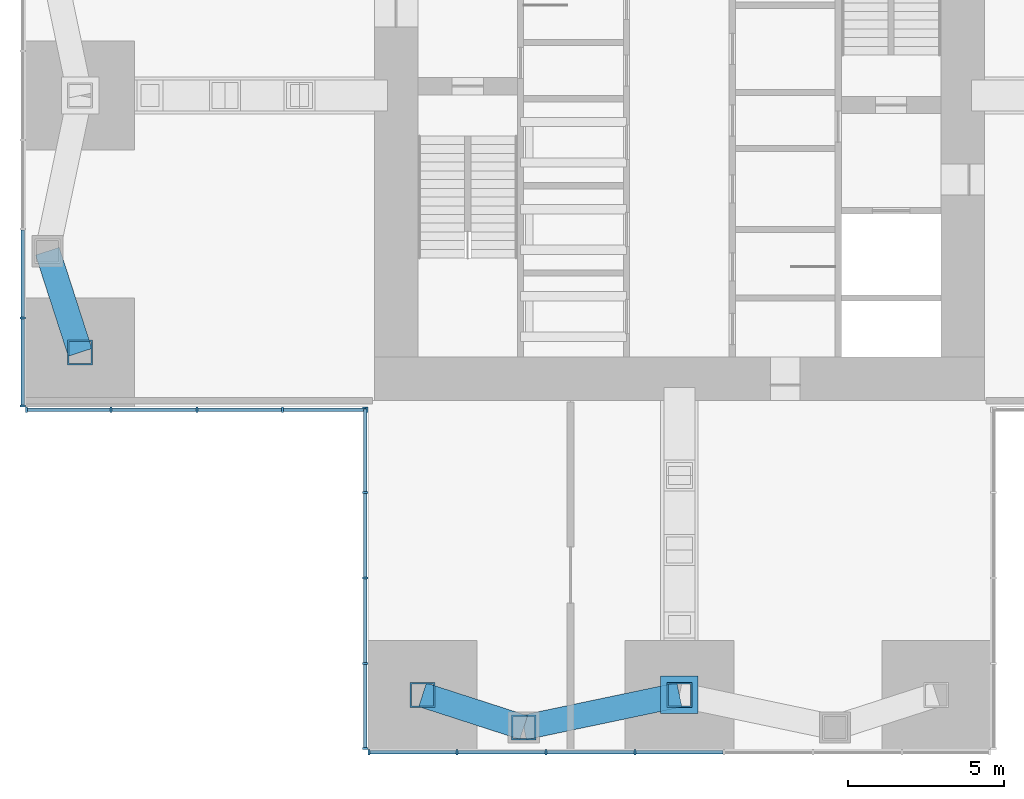
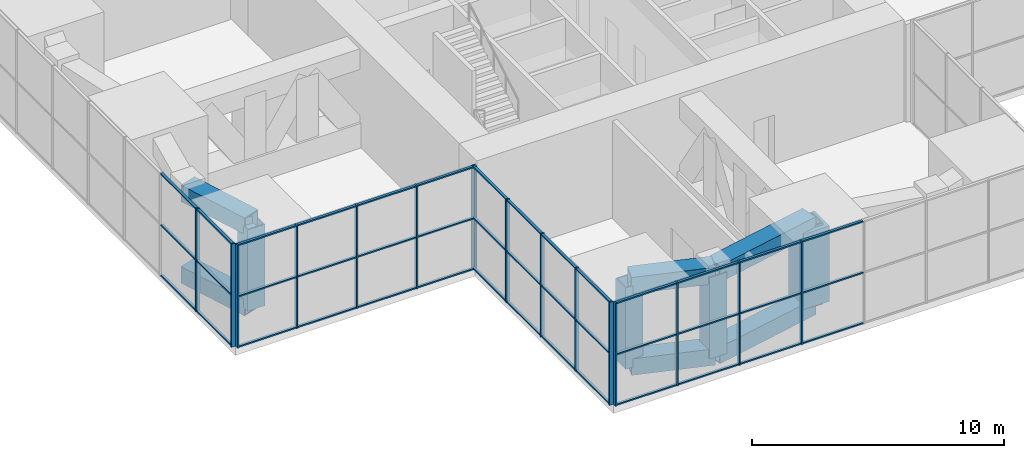
# One storey, part 2 of 12: 69 members, 4 elements without a shape of their own.
"""IFC4 building model written with IfcOpenShell, lengths in metres."""

from ifc_helpers import new_model, si_unit, direction, frame, origin, origin_2d, place, context, subcontext, project, spatial, rectangle, hollow_rectangle, extrude, material, material_profile, profile_set, type_object, element, aggregate, save


model = new_model("IFC4")

# Units and contexts
model_context = context("Model", 3, precision=1e-05, world=origin(), true_north=direction((0.0, 1.0)))
body_context = subcontext(model_context, "Body", "Model", "MODEL_VIEW")
ifc_project = project(units=[si_unit("LENGTHUNIT", "METRE"), si_unit("AREAUNIT", "SQUARE_METRE"), si_unit("VOLUMEUNIT", "CUBIC_METRE"), si_unit("PLANEANGLEUNIT", "RADIAN"), si_unit("MASSUNIT", "GRAM", prefix="KILO")], contexts=[model_context])

# Site, building, storey
site_placement = place(None, origin())
site = spatial("IfcSite", under=ifc_project, at=site_placement, CompositionType="ELEMENT")
building_placement = place(site_placement, origin())
building = spatial("IfcBuilding", under=site, at=building_placement, Name="Svetlomir Tower", CompositionType="ELEMENT")
storey_placement = place(building_placement, frame((0.0, 0.0, 234.5)))
storey = spatial("IfcBuildingStorey", under=building, at=storey_placement, Name="L56", CompositionType="ELEMENT", Elevation=234.5)

# Members
ifc_material_1 = material(Name="Steel S355", Category="steel")
ifc_material_profile_1 = material_profile(ifc_material_1, hollow_rectangle(XDim=0.800048828125, YDim=0.800048828125, WallThickness=0.050048828125, at=origin_2d()), Name="BOX 800x800x50")
ifc_profile_set_1 = profile_set([ifc_material_profile_1], Name="Steel S355")
member_type_1 = type_object("IfcMemberType", Name="BELT FRAME CHORD BOX 800x800x50", PredefinedType="CHORD", material=ifc_profile_set_1)
for number, where, z_axis, x_axis, name in (
    (1, (12.75, 1.75, 0.39990234375), (0.951566360503, -0.307443428225, 0.0), (0.307443428225, 0.951566360503, 0.0), "Belt frame S L56 bottom chord 1"),
    (2, (12.75, 1.75, 4.35009765625), (0.951566360503, -0.307443428225, 0.0), (0.307443428225, 0.951566360503, 0.0), "Belt frame S L56 top chord 1"),
):
    element("IfcMember", number, at=place(storey_placement, frame(where, z_axis=z_axis, x_axis=x_axis)), inside=storey, type_object=member_type_1, Name=name, PredefinedType="CHORD", context=body_context, shape_type="SweptSolid", body=[
        extrude(hollow_rectangle(XDim=0.800048828125, YDim=0.800048828125, WallThickness=0.050048828125, at=origin_2d()), origin(), (0.0, 0.0, 1.0), 3.41552734375),
    ])
for number, where, z_axis, x_axis, name in (
    (3, (16.0, 0.699951171875, 0.39990234375), (0.978651574329, 0.205526387753, 0.0), (-0.205526387753, 0.978651574329, 0.0), "Belt frame S L56 bottom chord 2"),
    (4, (16.0, 0.699951171875, 4.35009765625), (0.978651574329, 0.205526387753, 0.0), (-0.205526387753, 0.978651574329, 0.0), "Belt frame S L56 top chord 2"),
):
    element("IfcMember", number, at=place(storey_placement, frame(where, z_axis=z_axis, x_axis=x_axis)), inside=storey, type_object=member_type_1, Name=name, PredefinedType="CHORD", context=body_context, shape_type="SweptSolid", body=[
        extrude(hollow_rectangle(XDim=0.800048828125, YDim=0.800048828125, WallThickness=0.050048828125, at=origin_2d()), origin(), (0.0, 0.0, 1.0), 5.109130859375),
    ])
for number, where, z_axis, x_axis, name in (
    (5, (1.75, 12.75, 0.39990234375), (-0.307443428225, 0.951566360503, 0.0), (-0.951566360503, -0.307443428225, 0.0), "Belt frame W L56 bottom chord 1"),
    (6, (1.75, 12.75, 4.35009765625), (-0.307443428225, 0.951566360503, 0.0), (-0.951566360503, -0.307443428225, 0.0), "Belt frame W L56 top chord 1"),
):
    element("IfcMember", number, at=place(storey_placement, frame(where, z_axis=z_axis, x_axis=x_axis)), inside=storey, type_object=member_type_1, Name=name, PredefinedType="CHORD", context=body_context, shape_type="SweptSolid", body=[
        extrude(hollow_rectangle(XDim=0.800048828125, YDim=0.800048828125, WallThickness=0.050048828125, at=origin_2d()), origin(), (0.0, 0.0, 1.0), 3.41552734375),
    ])
ifc_material_2 = material(Name="Steel S355", Category="steel")
ifc_material_profile_2 = material_profile(ifc_material_2, hollow_rectangle(XDim=0.800048828125, YDim=0.800048828125, WallThickness=0.050048828125, at=origin_2d()), Name="BOX 800x800x50")
ifc_profile_set_2 = profile_set([ifc_material_profile_2], Name="Steel S355")
member_type_2 = type_object("IfcMemberType", Name="BELT FRAME POST BOX 800x800x50", PredefinedType="POST", material=ifc_profile_set_2)
for number, where, z_axis, x_axis, name in (
    (7, (12.75, 1.75, 0.39990234375), (0.0, 0.0, 1.0), (1.0, 0.0, 0.0), "Belt frame S L56 post 1"),
    (8, (16.0, 0.699951171875, 0.39990234375), (0.0, 0.0, 1.0), (1.0, 0.0, 0.0), "Belt frame S L56 post 2"),
    (9, (21.0, 1.75, 0.39990234375), (0.0, 0.0, 1.0), (1.0, 0.0, 0.0), "Belt frame S L56 post 3"),
    (10, (1.75, 12.75, 0.39990234375), (0.0, 0.0, 1.0), (1.0, 0.0, 0.0), "Belt frame W L56 post 1"),
):
    element("IfcMember", number, at=place(storey_placement, frame(where, z_axis=z_axis, x_axis=x_axis)), inside=storey, type_object=member_type_2, Name=name, PredefinedType="POST", context=body_context, shape_type="SweptSolid", body=[
        extrude(hollow_rectangle(XDim=0.800048828125, YDim=0.800048828125, WallThickness=0.050048828125, at=origin_2d()), origin(), (0.0, 0.0, 1.0), 3.9501953125),
    ])

# Curtain wall, members
ifc_material_3 = material(Name="Bronze anodised aluminium curtain wall", Category="aluminium")
curtain_wall_type = type_object("IfcCurtainWallType", Name="CURTAIN WALL CW3 PLANT LOUVRE", PredefinedType="NOTDEFINED", material=ifc_material_3)
curtain_wall_1_placement = place(storey_placement, origin())
curtain_wall_1 = element("IfcCurtainWall", 11, at=curtain_wall_1_placement, inside=storey, type_object=curtain_wall_type, Name="Curtain wall CW3 L56", PredefinedType="NOTDEFINED")
ifc_material_4 = material(Name="Bronze anodised aluminium", Category="aluminium")
ifc_material_profile_3 = material_profile(ifc_material_4, rectangle(XDim=0.06494140625, YDim=0.179931640625, at=origin_2d()), Name="AL 65x180")
ifc_profile_set_3 = profile_set([ifc_material_profile_3], Name="Bronze anodised aluminium 6063-T6")
member_type_3 = type_object("IfcMemberType", Name="CW3 MULLION 65x180", PredefinedType="MULLION", material=ifc_profile_set_3)
member_1_placement = place(storey_placement, frame((11.032470703125, -0.090087890625, 0.0), z_axis=(0.0, 0.0, 1.0), x_axis=(1.0, 0.0, 0.0)))
member_1 = element("IfcMember", 12, at=member_1_placement, type_object=member_type_3, Name="CW3 mullion 1", PredefinedType="MULLION", context=body_context, shape_type="SweptSolid", body=[
    extrude(rectangle(XDim=0.06494140625, YDim=0.179931640625, at=origin_2d()), origin(), (0.0, 0.0, 1.0), 5.0),
])
member_2_placement = place(storey_placement, frame((13.857177734375, -0.090087890625, 0.0), z_axis=(0.0, 0.0, 1.0), x_axis=(1.0, 0.0, 0.0)))
member_2 = element("IfcMember", 13, at=member_2_placement, type_object=member_type_3, Name="CW3 mullion 2", PredefinedType="MULLION", context=body_context, shape_type="SweptSolid", body=[
    extrude(rectangle(XDim=0.06494140625, YDim=0.179931640625, at=origin_2d()), origin(), (0.0, 0.0, 1.0), 5.0),
])
member_3_placement = place(storey_placement, frame((16.71435546875, -0.090087890625, 0.0), z_axis=(0.0, 0.0, 1.0), x_axis=(1.0, 0.0, 0.0)))
member_3 = element("IfcMember", 14, at=member_3_placement, type_object=member_type_3, Name="CW3 mullion 3", PredefinedType="MULLION", context=body_context, shape_type="SweptSolid", body=[
    extrude(rectangle(XDim=0.06494140625, YDim=0.179931640625, at=origin_2d()), origin(), (0.0, 0.0, 1.0), 5.0),
])
member_4_placement = place(storey_placement, frame((19.571533203125, -0.090087890625, 0.0), z_axis=(0.0, 0.0, 1.0), x_axis=(1.0, 0.0, 0.0)))
member_4 = element("IfcMember", 15, at=member_4_placement, type_object=member_type_3, Name="CW3 mullion 4", PredefinedType="MULLION", context=body_context, shape_type="SweptSolid", body=[
    extrude(rectangle(XDim=0.06494140625, YDim=0.179931640625, at=origin_2d()), origin(), (0.0, 0.0, 1.0), 5.0),
])

curtain_wall_2_placement = place(storey_placement, origin())
curtain_wall_2 = element("IfcCurtainWall", 16, at=curtain_wall_2_placement, inside=storey, type_object=curtain_wall_type, Name="Curtain wall CW3 L56", PredefinedType="NOTDEFINED")
member_5_placement = place(storey_placement, frame((-0.090087890625, 13.857177734375, 0.0), z_axis=(0.0, 0.0, 1.0), x_axis=(0.0, -1.0, 0.0)))
member_5 = element("IfcMember", 17, at=member_5_placement, type_object=member_type_3, Name="CW3 mullion 7", PredefinedType="MULLION", context=body_context, shape_type="SweptSolid", body=[
    extrude(rectangle(XDim=0.06494140625, YDim=0.179931640625, at=origin_2d()), origin(), (0.0, 0.0, 1.0), 5.0),
])
member_6_placement = place(storey_placement, frame((-0.090087890625, 11.032470703125, 0.0), z_axis=(0.0, 0.0, 1.0), x_axis=(0.0, -1.0, 0.0)))
member_6 = element("IfcMember", 18, at=member_6_placement, type_object=member_type_3, Name="CW3 mullion 8", PredefinedType="MULLION", context=body_context, shape_type="SweptSolid", body=[
    extrude(rectangle(XDim=0.06494140625, YDim=0.179931640625, at=origin_2d()), origin(), (0.0, 0.0, 1.0), 5.0),
])

curtain_wall_3_placement = place(storey_placement, origin())
curtain_wall_3 = element("IfcCurtainWall", 19, at=curtain_wall_3_placement, inside=storey, type_object=curtain_wall_type, Name="Curtain wall CW3 L56", PredefinedType="NOTDEFINED")
member_7_placement = place(storey_placement, frame((0.032470703125, 10.909912109375, 0.0), z_axis=(0.0, 0.0, 1.0), x_axis=(1.0, 0.0, 0.0)))
member_7 = element("IfcMember", 20, at=member_7_placement, type_object=member_type_3, Name="CW3 mullion 1", PredefinedType="MULLION", context=body_context, shape_type="SweptSolid", body=[
    extrude(rectangle(XDim=0.06494140625, YDim=0.179931640625, at=origin_2d()), origin(), (0.0, 0.0, 1.0), 5.0),
])
member_8_placement = place(storey_placement, frame((2.75, 10.909912109375, 0.0), z_axis=(0.0, 0.0, 1.0), x_axis=(1.0, 0.0, 0.0)))
member_8 = element("IfcMember", 21, at=member_8_placement, type_object=member_type_3, Name="CW3 mullion 2", PredefinedType="MULLION", context=body_context, shape_type="SweptSolid", body=[
    extrude(rectangle(XDim=0.06494140625, YDim=0.179931640625, at=origin_2d()), origin(), (0.0, 0.0, 1.0), 5.0),
])
member_9_placement = place(storey_placement, frame((5.5, 10.909912109375, 0.0), z_axis=(0.0, 0.0, 1.0), x_axis=(1.0, 0.0, 0.0)))
member_9 = element("IfcMember", 22, at=member_9_placement, type_object=member_type_3, Name="CW3 mullion 3", PredefinedType="MULLION", context=body_context, shape_type="SweptSolid", body=[
    extrude(rectangle(XDim=0.06494140625, YDim=0.179931640625, at=origin_2d()), origin(), (0.0, 0.0, 1.0), 5.0),
])
member_10_placement = place(storey_placement, frame((8.25, 10.909912109375, 0.0), z_axis=(0.0, 0.0, 1.0), x_axis=(1.0, 0.0, 0.0)))
member_10 = element("IfcMember", 23, at=member_10_placement, type_object=member_type_3, Name="CW3 mullion 4", PredefinedType="MULLION", context=body_context, shape_type="SweptSolid", body=[
    extrude(rectangle(XDim=0.06494140625, YDim=0.179931640625, at=origin_2d()), origin(), (0.0, 0.0, 1.0), 5.0),
])
member_11_placement = place(storey_placement, frame((10.967529296875, 10.909912109375, 0.0), z_axis=(0.0, 0.0, 1.0), x_axis=(1.0, 0.0, 0.0)))
member_11 = element("IfcMember", 24, at=member_11_placement, type_object=member_type_3, Name="CW3 mullion 5", PredefinedType="MULLION", context=body_context, shape_type="SweptSolid", body=[
    extrude(rectangle(XDim=0.06494140625, YDim=0.179931640625, at=origin_2d()), origin(), (0.0, 0.0, 1.0), 5.0),
])

curtain_wall_4_placement = place(storey_placement, origin())
curtain_wall_4 = element("IfcCurtainWall", 25, at=curtain_wall_4_placement, inside=storey, type_object=curtain_wall_type, Name="Curtain wall CW3 L56", PredefinedType="NOTDEFINED")
member_12_placement = place(storey_placement, frame((10.909912109375, 10.967529296875, 0.0), z_axis=(0.0, 0.0, 1.0), x_axis=(0.0, -1.0, 0.0)))
member_12 = element("IfcMember", 26, at=member_12_placement, type_object=member_type_3, Name="CW3 mullion 1", PredefinedType="MULLION", context=body_context, shape_type="SweptSolid", body=[
    extrude(rectangle(XDim=0.06494140625, YDim=0.179931640625, at=origin_2d()), origin(), (0.0, 0.0, 1.0), 5.0),
])
member_13_placement = place(storey_placement, frame((10.909912109375, 8.25, 0.0), z_axis=(0.0, 0.0, 1.0), x_axis=(0.0, -1.0, 0.0)))
member_13 = element("IfcMember", 27, at=member_13_placement, type_object=member_type_3, Name="CW3 mullion 2", PredefinedType="MULLION", context=body_context, shape_type="SweptSolid", body=[
    extrude(rectangle(XDim=0.06494140625, YDim=0.179931640625, at=origin_2d()), origin(), (0.0, 0.0, 1.0), 5.0),
])
member_14_placement = place(storey_placement, frame((10.909912109375, 5.5, 0.0), z_axis=(0.0, 0.0, 1.0), x_axis=(0.0, -1.0, 0.0)))
member_14 = element("IfcMember", 28, at=member_14_placement, type_object=member_type_3, Name="CW3 mullion 3", PredefinedType="MULLION", context=body_context, shape_type="SweptSolid", body=[
    extrude(rectangle(XDim=0.06494140625, YDim=0.179931640625, at=origin_2d()), origin(), (0.0, 0.0, 1.0), 5.0),
])
member_15_placement = place(storey_placement, frame((10.909912109375, 2.75, 0.0), z_axis=(0.0, 0.0, 1.0), x_axis=(0.0, -1.0, 0.0)))
member_15 = element("IfcMember", 29, at=member_15_placement, type_object=member_type_3, Name="CW3 mullion 4", PredefinedType="MULLION", context=body_context, shape_type="SweptSolid", body=[
    extrude(rectangle(XDim=0.06494140625, YDim=0.179931640625, at=origin_2d()), origin(), (0.0, 0.0, 1.0), 5.0),
])
member_16_placement = place(storey_placement, frame((10.909912109375, 0.032470703125, 0.0), z_axis=(0.0, 0.0, 1.0), x_axis=(0.0, -1.0, 0.0)))
member_16 = element("IfcMember", 30, at=member_16_placement, type_object=member_type_3, Name="CW3 mullion 5", PredefinedType="MULLION", context=body_context, shape_type="SweptSolid", body=[
    extrude(rectangle(XDim=0.06494140625, YDim=0.179931640625, at=origin_2d()), origin(), (0.0, 0.0, 1.0), 5.0),
])

# Member
ifc_material_5 = material(Name="Bronze anodised aluminium", Category="aluminium")
ifc_material_profile_4 = material_profile(ifc_material_5, rectangle(XDim=0.1201171875, YDim=0.06494140625, at=origin_2d()), Name="AL 120x65")
ifc_profile_set_4 = profile_set([ifc_material_profile_4], Name="Bronze anodised aluminium 6063-T6")
member_type_4 = type_object("IfcMemberType", Name="CW3 TRANSOM 65x120", PredefinedType="USERDEFINED", material=ifc_profile_set_4)
member_17_placement = place(storey_placement, frame((11.06494140625, -0.090087890625, 0.032470703125), z_axis=(1.0, 0.0, 0.0), x_axis=(0.0, 1.0, 0.0)))
member_17 = element("IfcMember", 31, at=member_17_placement, type_object=member_type_4, Name="CW3 transom 1.1", ObjectType="TRANSOM", PredefinedType="USERDEFINED", context=body_context, shape_type="SweptSolid", body=[
    extrude(rectangle(XDim=0.1201171875, YDim=0.06494140625, at=origin_2d()), origin(), (0.0, 0.0, 1.0), 2.759765625),
])

member_18_placement = place(storey_placement, frame((11.06494140625, -0.090087890625, 2.483642578125), z_axis=(1.0, 0.0, 0.0), x_axis=(0.0, 1.0, 0.0)))
member_18 = element("IfcMember", 32, at=member_18_placement, type_object=member_type_4, Name="CW3 transom 1.2", ObjectType="TRANSOM", PredefinedType="USERDEFINED", context=body_context, shape_type="SweptSolid", body=[
    extrude(rectangle(XDim=0.1201171875, YDim=0.06494140625, at=origin_2d()), origin(), (0.0, 0.0, 1.0), 2.759765625),
])

member_19_placement = place(storey_placement, frame((11.06494140625, -0.090087890625, 4.967529296875), z_axis=(1.0, 0.0, 0.0), x_axis=(0.0, 1.0, 0.0)))
member_19 = element("IfcMember", 33, at=member_19_placement, type_object=member_type_4, Name="CW3 transom 1.3", ObjectType="TRANSOM", PredefinedType="USERDEFINED", context=body_context, shape_type="SweptSolid", body=[
    extrude(rectangle(XDim=0.1201171875, YDim=0.06494140625, at=origin_2d()), origin(), (0.0, 0.0, 1.0), 2.759765625),
])

member_20_placement = place(storey_placement, frame((13.8896484375, -0.090087890625, 0.032470703125), z_axis=(1.0, 0.0, 0.0), x_axis=(0.0, 1.0, 0.0)))
member_20 = element("IfcMember", 34, at=member_20_placement, type_object=member_type_4, Name="CW3 transom 2.1", ObjectType="TRANSOM", PredefinedType="USERDEFINED", context=body_context, shape_type="SweptSolid", body=[
    extrude(rectangle(XDim=0.1201171875, YDim=0.06494140625, at=origin_2d()), origin(), (0.0, 0.0, 1.0), 2.792236328125),
])

member_21_placement = place(storey_placement, frame((13.8896484375, -0.090087890625, 2.483642578125), z_axis=(1.0, 0.0, 0.0), x_axis=(0.0, 1.0, 0.0)))
member_21 = element("IfcMember", 35, at=member_21_placement, type_object=member_type_4, Name="CW3 transom 2.2", ObjectType="TRANSOM", PredefinedType="USERDEFINED", context=body_context, shape_type="SweptSolid", body=[
    extrude(rectangle(XDim=0.1201171875, YDim=0.06494140625, at=origin_2d()), origin(), (0.0, 0.0, 1.0), 2.792236328125),
])

member_22_placement = place(storey_placement, frame((13.8896484375, -0.090087890625, 4.967529296875), z_axis=(1.0, 0.0, 0.0), x_axis=(0.0, 1.0, 0.0)))
member_22 = element("IfcMember", 36, at=member_22_placement, type_object=member_type_4, Name="CW3 transom 2.3", ObjectType="TRANSOM", PredefinedType="USERDEFINED", context=body_context, shape_type="SweptSolid", body=[
    extrude(rectangle(XDim=0.1201171875, YDim=0.06494140625, at=origin_2d()), origin(), (0.0, 0.0, 1.0), 2.792236328125),
])

member_23_placement = place(storey_placement, frame((16.746826171875, -0.090087890625, 0.032470703125), z_axis=(1.0, 0.0, 0.0), x_axis=(0.0, 1.0, 0.0)))
member_23 = element("IfcMember", 37, at=member_23_placement, type_object=member_type_4, Name="CW3 transom 3.1", ObjectType="TRANSOM", PredefinedType="USERDEFINED", context=body_context, shape_type="SweptSolid", body=[
    extrude(rectangle(XDim=0.1201171875, YDim=0.06494140625, at=origin_2d()), origin(), (0.0, 0.0, 1.0), 2.7919921875),
])

member_24_placement = place(storey_placement, frame((16.746826171875, -0.090087890625, 2.483642578125), z_axis=(1.0, 0.0, 0.0), x_axis=(0.0, 1.0, 0.0)))
member_24 = element("IfcMember", 38, at=member_24_placement, type_object=member_type_4, Name="CW3 transom 3.2", ObjectType="TRANSOM", PredefinedType="USERDEFINED", context=body_context, shape_type="SweptSolid", body=[
    extrude(rectangle(XDim=0.1201171875, YDim=0.06494140625, at=origin_2d()), origin(), (0.0, 0.0, 1.0), 2.7919921875),
])

member_25_placement = place(storey_placement, frame((16.746826171875, -0.090087890625, 4.967529296875), z_axis=(1.0, 0.0, 0.0), x_axis=(0.0, 1.0, 0.0)))
member_25 = element("IfcMember", 39, at=member_25_placement, type_object=member_type_4, Name="CW3 transom 3.3", ObjectType="TRANSOM", PredefinedType="USERDEFINED", context=body_context, shape_type="SweptSolid", body=[
    extrude(rectangle(XDim=0.1201171875, YDim=0.06494140625, at=origin_2d()), origin(), (0.0, 0.0, 1.0), 2.7919921875),
])

member_26_placement = place(storey_placement, frame((19.60400390625, -0.090087890625, 0.032470703125), z_axis=(1.0, 0.0, 0.0), x_axis=(0.0, 1.0, 0.0)))
member_26 = element("IfcMember", 40, at=member_26_placement, type_object=member_type_4, Name="CW3 transom 4.1", ObjectType="TRANSOM", PredefinedType="USERDEFINED", context=body_context, shape_type="SweptSolid", body=[
    extrude(rectangle(XDim=0.1201171875, YDim=0.06494140625, at=origin_2d()), origin(), (0.0, 0.0, 1.0), 2.7919921875),
])

member_27_placement = place(storey_placement, frame((19.60400390625, -0.090087890625, 2.483642578125), z_axis=(1.0, 0.0, 0.0), x_axis=(0.0, 1.0, 0.0)))
member_27 = element("IfcMember", 41, at=member_27_placement, type_object=member_type_4, Name="CW3 transom 4.2", ObjectType="TRANSOM", PredefinedType="USERDEFINED", context=body_context, shape_type="SweptSolid", body=[
    extrude(rectangle(XDim=0.1201171875, YDim=0.06494140625, at=origin_2d()), origin(), (0.0, 0.0, 1.0), 2.7919921875),
])

member_28_placement = place(storey_placement, frame((19.60400390625, -0.090087890625, 4.967529296875), z_axis=(1.0, 0.0, 0.0), x_axis=(0.0, 1.0, 0.0)))
member_28 = element("IfcMember", 42, at=member_28_placement, type_object=member_type_4, Name="CW3 transom 4.3", ObjectType="TRANSOM", PredefinedType="USERDEFINED", context=body_context, shape_type="SweptSolid", body=[
    extrude(rectangle(XDim=0.1201171875, YDim=0.06494140625, at=origin_2d()), origin(), (0.0, 0.0, 1.0), 2.7919921875),
])

aggregate(curtain_wall_1, [member_1, member_2, member_3, member_4, member_17, member_18, member_19, member_20, member_21, member_22, member_23, member_24, member_25, member_26, member_27, member_28])

member_29_placement = place(storey_placement, frame((-0.090087890625, 16.681884765625, 0.032470703125), z_axis=(0.0, -1.0, 0.0), x_axis=(1.0, 0.0, 0.0)))
member_29 = element("IfcMember", 43, at=member_29_placement, type_object=member_type_4, Name="CW3 transom 6.1", ObjectType="TRANSOM", PredefinedType="USERDEFINED", context=body_context, shape_type="SweptSolid", body=[
    extrude(rectangle(XDim=0.1201171875, YDim=0.06494140625, at=origin_2d()), origin(), (0.0, 0.0, 1.0), 2.792236328125),
])

member_30_placement = place(storey_placement, frame((-0.090087890625, 16.681884765625, 2.483642578125), z_axis=(0.0, -1.0, 0.0), x_axis=(1.0, 0.0, 0.0)))
member_30 = element("IfcMember", 44, at=member_30_placement, type_object=member_type_4, Name="CW3 transom 6.2", ObjectType="TRANSOM", PredefinedType="USERDEFINED", context=body_context, shape_type="SweptSolid", body=[
    extrude(rectangle(XDim=0.1201171875, YDim=0.06494140625, at=origin_2d()), origin(), (0.0, 0.0, 1.0), 2.792236328125),
])

member_31_placement = place(storey_placement, frame((-0.090087890625, 16.681884765625, 4.967529296875), z_axis=(0.0, -1.0, 0.0), x_axis=(1.0, 0.0, 0.0)))
member_31 = element("IfcMember", 45, at=member_31_placement, type_object=member_type_4, Name="CW3 transom 6.3", ObjectType="TRANSOM", PredefinedType="USERDEFINED", context=body_context, shape_type="SweptSolid", body=[
    extrude(rectangle(XDim=0.1201171875, YDim=0.06494140625, at=origin_2d()), origin(), (0.0, 0.0, 1.0), 2.792236328125),
])

member_32_placement = place(storey_placement, frame((-0.090087890625, 13.82470703125, 0.032470703125), z_axis=(0.0, -1.0, 0.0), x_axis=(1.0, 0.0, 0.0)))
member_32 = element("IfcMember", 46, at=member_32_placement, type_object=member_type_4, Name="CW3 transom 7.1", ObjectType="TRANSOM", PredefinedType="USERDEFINED", context=body_context, shape_type="SweptSolid", body=[
    extrude(rectangle(XDim=0.1201171875, YDim=0.06494140625, at=origin_2d()), origin(), (0.0, 0.0, 1.0), 2.759765625),
])

member_33_placement = place(storey_placement, frame((-0.090087890625, 13.82470703125, 2.483642578125), z_axis=(0.0, -1.0, 0.0), x_axis=(1.0, 0.0, 0.0)))
member_33 = element("IfcMember", 47, at=member_33_placement, type_object=member_type_4, Name="CW3 transom 7.2", ObjectType="TRANSOM", PredefinedType="USERDEFINED", context=body_context, shape_type="SweptSolid", body=[
    extrude(rectangle(XDim=0.1201171875, YDim=0.06494140625, at=origin_2d()), origin(), (0.0, 0.0, 1.0), 2.759765625),
])

member_34_placement = place(storey_placement, frame((-0.090087890625, 13.82470703125, 4.967529296875), z_axis=(0.0, -1.0, 0.0), x_axis=(1.0, 0.0, 0.0)))
member_34 = element("IfcMember", 48, at=member_34_placement, type_object=member_type_4, Name="CW3 transom 7.3", ObjectType="TRANSOM", PredefinedType="USERDEFINED", context=body_context, shape_type="SweptSolid", body=[
    extrude(rectangle(XDim=0.1201171875, YDim=0.06494140625, at=origin_2d()), origin(), (0.0, 0.0, 1.0), 2.759765625),
])

aggregate(curtain_wall_2, [member_5, member_6, member_29, member_30, member_31, member_32, member_33, member_34])

member_35_placement = place(storey_placement, frame((0.06494140625, 10.909912109375, 0.032470703125), z_axis=(1.0, 0.0, 0.0), x_axis=(0.0, 1.0, 0.0)))
member_35 = element("IfcMember", 49, at=member_35_placement, type_object=member_type_4, Name="CW3 transom 1.1", ObjectType="TRANSOM", PredefinedType="USERDEFINED", context=body_context, shape_type="SweptSolid", body=[
    extrude(rectangle(XDim=0.1201171875, YDim=0.06494140625, at=origin_2d()), origin(), (0.0, 0.0, 1.0), 2.652587890625),
])

member_36_placement = place(storey_placement, frame((0.06494140625, 10.909912109375, 2.483642578125), z_axis=(1.0, 0.0, 0.0), x_axis=(0.0, 1.0, 0.0)))
member_36 = element("IfcMember", 50, at=member_36_placement, type_object=member_type_4, Name="CW3 transom 1.2", ObjectType="TRANSOM", PredefinedType="USERDEFINED", context=body_context, shape_type="SweptSolid", body=[
    extrude(rectangle(XDim=0.1201171875, YDim=0.06494140625, at=origin_2d()), origin(), (0.0, 0.0, 1.0), 2.652587890625),
])

member_37_placement = place(storey_placement, frame((0.06494140625, 10.909912109375, 4.967529296875), z_axis=(1.0, 0.0, 0.0), x_axis=(0.0, 1.0, 0.0)))
member_37 = element("IfcMember", 51, at=member_37_placement, type_object=member_type_4, Name="CW3 transom 1.3", ObjectType="TRANSOM", PredefinedType="USERDEFINED", context=body_context, shape_type="SweptSolid", body=[
    extrude(rectangle(XDim=0.1201171875, YDim=0.06494140625, at=origin_2d()), origin(), (0.0, 0.0, 1.0), 2.652587890625),
])

member_38_placement = place(storey_placement, frame((2.782470703125, 10.909912109375, 0.032470703125), z_axis=(1.0, 0.0, 0.0), x_axis=(0.0, 1.0, 0.0)))
member_38 = element("IfcMember", 52, at=member_38_placement, type_object=member_type_4, Name="CW3 transom 2.1", ObjectType="TRANSOM", PredefinedType="USERDEFINED", context=body_context, shape_type="SweptSolid", body=[
    extrude(rectangle(XDim=0.1201171875, YDim=0.06494140625, at=origin_2d()), origin(), (0.0, 0.0, 1.0), 2.68505859375),
])

member_39_placement = place(storey_placement, frame((2.782470703125, 10.909912109375, 2.483642578125), z_axis=(1.0, 0.0, 0.0), x_axis=(0.0, 1.0, 0.0)))
member_39 = element("IfcMember", 53, at=member_39_placement, type_object=member_type_4, Name="CW3 transom 2.2", ObjectType="TRANSOM", PredefinedType="USERDEFINED", context=body_context, shape_type="SweptSolid", body=[
    extrude(rectangle(XDim=0.1201171875, YDim=0.06494140625, at=origin_2d()), origin(), (0.0, 0.0, 1.0), 2.68505859375),
])

member_40_placement = place(storey_placement, frame((2.782470703125, 10.909912109375, 4.967529296875), z_axis=(1.0, 0.0, 0.0), x_axis=(0.0, 1.0, 0.0)))
member_40 = element("IfcMember", 54, at=member_40_placement, type_object=member_type_4, Name="CW3 transom 2.3", ObjectType="TRANSOM", PredefinedType="USERDEFINED", context=body_context, shape_type="SweptSolid", body=[
    extrude(rectangle(XDim=0.1201171875, YDim=0.06494140625, at=origin_2d()), origin(), (0.0, 0.0, 1.0), 2.68505859375),
])

member_41_placement = place(storey_placement, frame((5.532470703125, 10.909912109375, 0.032470703125), z_axis=(1.0, 0.0, 0.0), x_axis=(0.0, 1.0, 0.0)))
member_41 = element("IfcMember", 55, at=member_41_placement, type_object=member_type_4, Name="CW3 transom 3.1", ObjectType="TRANSOM", PredefinedType="USERDEFINED", context=body_context, shape_type="SweptSolid", body=[
    extrude(rectangle(XDim=0.1201171875, YDim=0.06494140625, at=origin_2d()), origin(), (0.0, 0.0, 1.0), 2.68505859375),
])

member_42_placement = place(storey_placement, frame((5.532470703125, 10.909912109375, 2.483642578125), z_axis=(1.0, 0.0, 0.0), x_axis=(0.0, 1.0, 0.0)))
member_42 = element("IfcMember", 56, at=member_42_placement, type_object=member_type_4, Name="CW3 transom 3.2", ObjectType="TRANSOM", PredefinedType="USERDEFINED", context=body_context, shape_type="SweptSolid", body=[
    extrude(rectangle(XDim=0.1201171875, YDim=0.06494140625, at=origin_2d()), origin(), (0.0, 0.0, 1.0), 2.68505859375),
])

member_43_placement = place(storey_placement, frame((5.532470703125, 10.909912109375, 4.967529296875), z_axis=(1.0, 0.0, 0.0), x_axis=(0.0, 1.0, 0.0)))
member_43 = element("IfcMember", 57, at=member_43_placement, type_object=member_type_4, Name="CW3 transom 3.3", ObjectType="TRANSOM", PredefinedType="USERDEFINED", context=body_context, shape_type="SweptSolid", body=[
    extrude(rectangle(XDim=0.1201171875, YDim=0.06494140625, at=origin_2d()), origin(), (0.0, 0.0, 1.0), 2.68505859375),
])

member_44_placement = place(storey_placement, frame((8.282470703125, 10.909912109375, 0.032470703125), z_axis=(1.0, 0.0, 0.0), x_axis=(0.0, 1.0, 0.0)))
member_44 = element("IfcMember", 58, at=member_44_placement, type_object=member_type_4, Name="CW3 transom 4.1", ObjectType="TRANSOM", PredefinedType="USERDEFINED", context=body_context, shape_type="SweptSolid", body=[
    extrude(rectangle(XDim=0.1201171875, YDim=0.06494140625, at=origin_2d()), origin(), (0.0, 0.0, 1.0), 2.652587890625),
])

member_45_placement = place(storey_placement, frame((8.282470703125, 10.909912109375, 2.483642578125), z_axis=(1.0, 0.0, 0.0), x_axis=(0.0, 1.0, 0.0)))
member_45 = element("IfcMember", 59, at=member_45_placement, type_object=member_type_4, Name="CW3 transom 4.2", ObjectType="TRANSOM", PredefinedType="USERDEFINED", context=body_context, shape_type="SweptSolid", body=[
    extrude(rectangle(XDim=0.1201171875, YDim=0.06494140625, at=origin_2d()), origin(), (0.0, 0.0, 1.0), 2.652587890625),
])

member_46_placement = place(storey_placement, frame((8.282470703125, 10.909912109375, 4.967529296875), z_axis=(1.0, 0.0, 0.0), x_axis=(0.0, 1.0, 0.0)))
member_46 = element("IfcMember", 60, at=member_46_placement, type_object=member_type_4, Name="CW3 transom 4.3", ObjectType="TRANSOM", PredefinedType="USERDEFINED", context=body_context, shape_type="SweptSolid", body=[
    extrude(rectangle(XDim=0.1201171875, YDim=0.06494140625, at=origin_2d()), origin(), (0.0, 0.0, 1.0), 2.652587890625),
])

aggregate(curtain_wall_3, [member_7, member_8, member_9, member_10, member_11, member_35, member_36, member_37, member_38, member_39, member_40, member_41, member_42, member_43, member_44, member_45, member_46])

member_47_placement = place(storey_placement, frame((10.909912109375, 10.93505859375, 0.032470703125), z_axis=(0.0, -1.0, 0.0), x_axis=(1.0, 0.0, 0.0)))
member_47 = element("IfcMember", 61, at=member_47_placement, type_object=member_type_4, Name="CW3 transom 1.1", ObjectType="TRANSOM", PredefinedType="USERDEFINED", context=body_context, shape_type="SweptSolid", body=[
    extrude(rectangle(XDim=0.1201171875, YDim=0.06494140625, at=origin_2d()), origin(), (0.0, 0.0, 1.0), 2.652587890625),
])

member_48_placement = place(storey_placement, frame((10.909912109375, 10.93505859375, 2.483642578125), z_axis=(0.0, -1.0, 0.0), x_axis=(1.0, 0.0, 0.0)))
member_48 = element("IfcMember", 62, at=member_48_placement, type_object=member_type_4, Name="CW3 transom 1.2", ObjectType="TRANSOM", PredefinedType="USERDEFINED", context=body_context, shape_type="SweptSolid", body=[
    extrude(rectangle(XDim=0.1201171875, YDim=0.06494140625, at=origin_2d()), origin(), (0.0, 0.0, 1.0), 2.652587890625),
])

member_49_placement = place(storey_placement, frame((10.909912109375, 10.93505859375, 4.967529296875), z_axis=(0.0, -1.0, 0.0), x_axis=(1.0, 0.0, 0.0)))
member_49 = element("IfcMember", 63, at=member_49_placement, type_object=member_type_4, Name="CW3 transom 1.3", ObjectType="TRANSOM", PredefinedType="USERDEFINED", context=body_context, shape_type="SweptSolid", body=[
    extrude(rectangle(XDim=0.1201171875, YDim=0.06494140625, at=origin_2d()), origin(), (0.0, 0.0, 1.0), 2.652587890625),
])

member_50_placement = place(storey_placement, frame((10.909912109375, 8.217529296875, 0.032470703125), z_axis=(0.0, -1.0, 0.0), x_axis=(1.0, 0.0, 0.0)))
member_50 = element("IfcMember", 64, at=member_50_placement, type_object=member_type_4, Name="CW3 transom 2.1", ObjectType="TRANSOM", PredefinedType="USERDEFINED", context=body_context, shape_type="SweptSolid", body=[
    extrude(rectangle(XDim=0.1201171875, YDim=0.06494140625, at=origin_2d()), origin(), (0.0, 0.0, 1.0), 2.68505859375),
])

member_51_placement = place(storey_placement, frame((10.909912109375, 8.217529296875, 2.483642578125), z_axis=(0.0, -1.0, 0.0), x_axis=(1.0, 0.0, 0.0)))
member_51 = element("IfcMember", 65, at=member_51_placement, type_object=member_type_4, Name="CW3 transom 2.2", ObjectType="TRANSOM", PredefinedType="USERDEFINED", context=body_context, shape_type="SweptSolid", body=[
    extrude(rectangle(XDim=0.1201171875, YDim=0.06494140625, at=origin_2d()), origin(), (0.0, 0.0, 1.0), 2.68505859375),
])

member_52_placement = place(storey_placement, frame((10.909912109375, 8.217529296875, 4.967529296875), z_axis=(0.0, -1.0, 0.0), x_axis=(1.0, 0.0, 0.0)))
member_52 = element("IfcMember", 66, at=member_52_placement, type_object=member_type_4, Name="CW3 transom 2.3", ObjectType="TRANSOM", PredefinedType="USERDEFINED", context=body_context, shape_type="SweptSolid", body=[
    extrude(rectangle(XDim=0.1201171875, YDim=0.06494140625, at=origin_2d()), origin(), (0.0, 0.0, 1.0), 2.68505859375),
])

member_53_placement = place(storey_placement, frame((10.909912109375, 5.467529296875, 0.032470703125), z_axis=(0.0, -1.0, 0.0), x_axis=(1.0, 0.0, 0.0)))
member_53 = element("IfcMember", 67, at=member_53_placement, type_object=member_type_4, Name="CW3 transom 3.1", ObjectType="TRANSOM", PredefinedType="USERDEFINED", context=body_context, shape_type="SweptSolid", body=[
    extrude(rectangle(XDim=0.1201171875, YDim=0.06494140625, at=origin_2d()), origin(), (0.0, 0.0, 1.0), 2.68505859375),
])

member_54_placement = place(storey_placement, frame((10.909912109375, 5.467529296875, 2.483642578125), z_axis=(0.0, -1.0, 0.0), x_axis=(1.0, 0.0, 0.0)))
member_54 = element("IfcMember", 68, at=member_54_placement, type_object=member_type_4, Name="CW3 transom 3.2", ObjectType="TRANSOM", PredefinedType="USERDEFINED", context=body_context, shape_type="SweptSolid", body=[
    extrude(rectangle(XDim=0.1201171875, YDim=0.06494140625, at=origin_2d()), origin(), (0.0, 0.0, 1.0), 2.68505859375),
])

member_55_placement = place(storey_placement, frame((10.909912109375, 5.467529296875, 4.967529296875), z_axis=(0.0, -1.0, 0.0), x_axis=(1.0, 0.0, 0.0)))
member_55 = element("IfcMember", 69, at=member_55_placement, type_object=member_type_4, Name="CW3 transom 3.3", ObjectType="TRANSOM", PredefinedType="USERDEFINED", context=body_context, shape_type="SweptSolid", body=[
    extrude(rectangle(XDim=0.1201171875, YDim=0.06494140625, at=origin_2d()), origin(), (0.0, 0.0, 1.0), 2.68505859375),
])

member_56_placement = place(storey_placement, frame((10.909912109375, 2.717529296875, 0.032470703125), z_axis=(0.0, -1.0, 0.0), x_axis=(1.0, 0.0, 0.0)))
member_56 = element("IfcMember", 70, at=member_56_placement, type_object=member_type_4, Name="CW3 transom 4.1", ObjectType="TRANSOM", PredefinedType="USERDEFINED", context=body_context, shape_type="SweptSolid", body=[
    extrude(rectangle(XDim=0.1201171875, YDim=0.06494140625, at=origin_2d()), origin(), (0.0, 0.0, 1.0), 2.652587890625),
])

member_57_placement = place(storey_placement, frame((10.909912109375, 2.717529296875, 2.483642578125), z_axis=(0.0, -1.0, 0.0), x_axis=(1.0, 0.0, 0.0)))
member_57 = element("IfcMember", 71, at=member_57_placement, type_object=member_type_4, Name="CW3 transom 4.2", ObjectType="TRANSOM", PredefinedType="USERDEFINED", context=body_context, shape_type="SweptSolid", body=[
    extrude(rectangle(XDim=0.1201171875, YDim=0.06494140625, at=origin_2d()), origin(), (0.0, 0.0, 1.0), 2.652587890625),
])

member_58_placement = place(storey_placement, frame((10.909912109375, 2.717529296875, 4.967529296875), z_axis=(0.0, -1.0, 0.0), x_axis=(1.0, 0.0, 0.0)))
member_58 = element("IfcMember", 72, at=member_58_placement, type_object=member_type_4, Name="CW3 transom 4.3", ObjectType="TRANSOM", PredefinedType="USERDEFINED", context=body_context, shape_type="SweptSolid", body=[
    extrude(rectangle(XDim=0.1201171875, YDim=0.06494140625, at=origin_2d()), origin(), (0.0, 0.0, 1.0), 2.652587890625),
])

aggregate(curtain_wall_4, [member_12, member_13, member_14, member_15, member_16, member_47, member_48, member_49, member_50, member_51, member_52, member_53, member_54, member_55, member_56, member_57, member_58])

ifc_material_6 = material(Name="Steel S355", Category="steel")
ifc_material_profile_5 = material_profile(ifc_material_6, hollow_rectangle(XDim=1.199951171875, YDim=1.199951171875, WallThickness=0.199951171875, at=origin_2d()), Name="BOX 1200x1200x200")
ifc_profile_set_5 = profile_set([ifc_material_profile_5], Name="Steel S355")
member_type_5 = type_object("IfcMemberType", Name="OUTRIGGER END POST BOX 1200x1200x200", PredefinedType="POST", material=ifc_profile_set_5)
member_59_placement = place(storey_placement, frame((21.0, 1.75, 0.60009765625), z_axis=(0.0, 0.0, 1.0), x_axis=(1.0, 0.0, 0.0)))
element("IfcMember", 73, at=member_59_placement, inside=storey, type_object=member_type_5, Name="Outrigger S L56 end post", PredefinedType="POST", context=body_context, shape_type="SweptSolid", body=[
    extrude(hollow_rectangle(XDim=1.199951171875, YDim=1.199951171875, WallThickness=0.199951171875, at=origin_2d()), origin(), (0.0, 0.0, 1.0), 3.64990234375),
])

save(model, "model.ifc")
